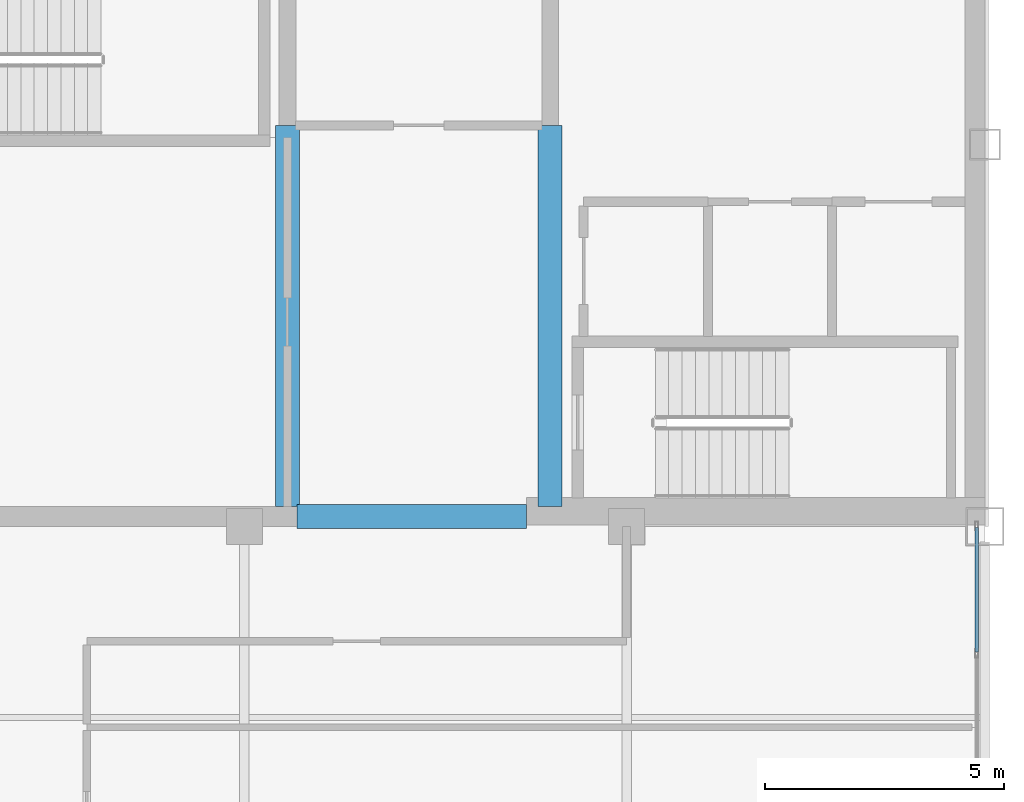
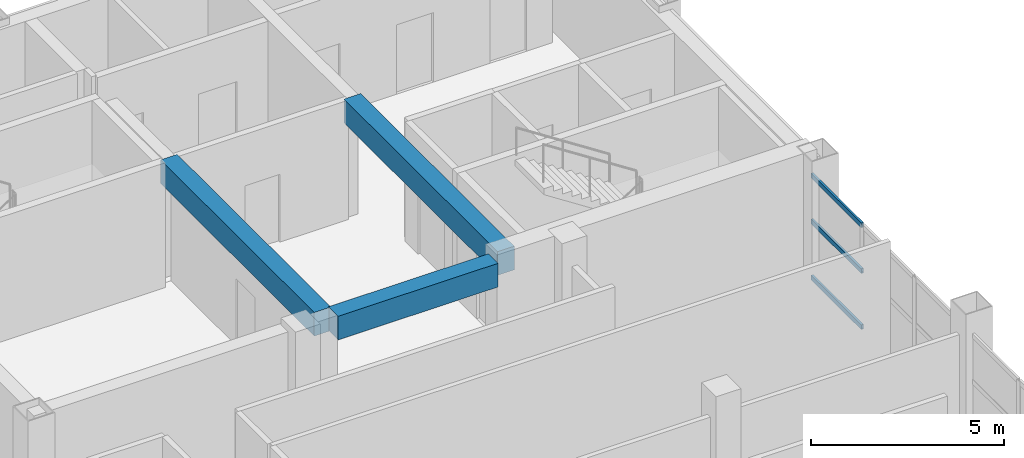
# One storey, part 5 of 13: 3 beams, 3 members, 1 element without a shape of its own.
"""IFC4 building model written with IfcOpenShell, lengths in metres."""

from ifc_helpers import new_model, si_unit, direction, frame, origin, origin_2d, place, context, subcontext, project, spatial, rectangle, hollow_rectangle, extrude, material, layer, layer_set, material_profile, profile_set, type_object, element, aggregate, save


model = new_model("IFC4")

# Units and contexts
model_context = context("Model", 3, precision=1e-05, world=origin(), true_north=direction((0.0, 1.0)))
body_context = subcontext(model_context, "Body", "Model", "MODEL_VIEW")
ifc_project = project(units=[si_unit("LENGTHUNIT", "METRE"), si_unit("AREAUNIT", "SQUARE_METRE"), si_unit("VOLUMEUNIT", "CUBIC_METRE"), si_unit("PLANEANGLEUNIT", "RADIAN"), si_unit("MASSUNIT", "GRAM", prefix="KILO")], contexts=[model_context])

# Site, building, storey
site_placement = place(None, origin())
site = spatial("IfcSite", under=ifc_project, at=site_placement, CompositionType="ELEMENT")
building_placement = place(site_placement, origin())
building = spatial("IfcBuilding", under=site, at=building_placement, Name="Qianrong Seaharbour Tower", CompositionType="ELEMENT")
storey_placement = place(building_placement, frame((0.0, 0.0, 291.199951171875)))
storey = spatial("IfcBuildingStorey", under=building, at=storey_placement, Name="L70", CompositionType="ELEMENT", Elevation=291.199951171875)

# Beams
ifc_material_1 = material(Name="Concrete C60/75", Category="concrete")
ifc_material_profile_1 = material_profile(ifc_material_1, rectangle(XDim=0.5, YDim=0.75, at=origin_2d()), Name="RC500x750")
ifc_profile_set_1 = profile_set([ifc_material_profile_1], Name="Concrete C60/75")
beam_type = type_object("IfcBeamType", Name="BM-LINTEL-750", PredefinedType="LINTEL", material=ifc_profile_set_1)
beam_placement = place(storey_placement, frame((49.60009765625, 36.2099609375, 3.41015625), z_axis=(1.0, 0.0, 0.0), x_axis=(0.0, 1.0, 0.0)))
element("IfcBeam", 1, at=beam_placement, inside=storey, type_object=beam_type, Name="L70 Core Coupling Lintel Beam CBC", PredefinedType="LINTEL", context=body_context, shape_type="SweptSolid", body=[
    extrude(rectangle(XDim=0.5, YDim=0.75, at=origin_2d()), origin(), (0.0, 0.0, 1.0), 4.7998046875),
])
for number, where, z_axis, x_axis, name in (
    (2, (49.39990234375, 36.419921875, 3.41015625), (0.0, 1.0, 0.0), (-1.0, 0.0, 0.0), "L70 Internal Core Coupling Beam IW1"),
    (3, (54.89990234375, 36.419921875, 3.41015625), (0.0, 1.0, 0.0), (-1.0, 0.0, 0.0), "L70 Internal Core Coupling Beam IW2"),
):
    element("IfcBeam", number, at=place(storey_placement, frame(where, z_axis=z_axis, x_axis=x_axis)), inside=storey, type_object=beam_type, Name=name, PredefinedType="LINTEL", context=body_context, shape_type="SweptSolid", body=[
        extrude(rectangle(XDim=0.5, YDim=0.75, at=origin_2d()), origin(), (0.0, 0.0, 1.0), 7.97998046875),
    ])

# Curtain wall, members
ifc_material_2 = material(Name="Anodised aluminium 6063-T6 and laminated low-e glass", Category="aluminium")
ifc_layer = layer(ifc_material_2, 0.195068359375)
ifc_layer_set = layer_set([ifc_layer], Name="Anodised aluminium 6063-T6 and laminated low-e glass")
curtain_wall_type = type_object("IfcCurtainWallType", Name="CW-SYS-3", PredefinedType="NOTDEFINED", material=ifc_layer_set)
curtain_wall_placement = place(storey_placement, origin())
curtain_wall = element("IfcCurtainWall", 4, at=curtain_wall_placement, inside=storey, type_object=curtain_wall_type, Name="L70 Sky-Garden Wintergarden Curtain Wall EAST_WING", PredefinedType="NOTDEFINED")
ifc_material_3 = material(Name="Extruded aluminium 6063-T6", Category="aluminium")
ifc_material_profile_2 = material_profile(ifc_material_3, hollow_rectangle(XDim=0.06494140625, YDim=0.14990234375, WallThickness=0.00390625, at=origin_2d()), Name="ALU-TRN-150x65x4")
ifc_profile_set_2 = profile_set([ifc_material_profile_2], Name="Extruded aluminium 6063-T6")
member_type = type_object("IfcMemberType", Name="CW-TRN-150", PredefinedType="USERDEFINED", material=ifc_profile_set_2)
member_1_placement = place(storey_placement, frame((63.830078125, 35.97998046875, 0.032470703125), z_axis=(0.0, -1.0, 0.0), x_axis=(1.0, 0.0, 0.0)))
member_1 = element("IfcMember", 5, at=member_1_placement, type_object=member_type, Name="CW-3 transom 1.1", ObjectType="TRANSOM", PredefinedType="USERDEFINED", context=body_context, shape_type="SweptSolid", body=[
    extrude(hollow_rectangle(XDim=0.06494140625, YDim=0.14990234375, WallThickness=0.00390625, at=origin_2d()), origin(), (0.0, 0.0, 1.0), 2.60498046875),
])
member_2_placement = place(storey_placement, frame((63.830078125, 35.97998046875, 1.812255859375), z_axis=(0.0, -1.0, 0.0), x_axis=(1.0, 0.0, 0.0)))
member_2 = element("IfcMember", 6, at=member_2_placement, type_object=member_type, Name="CW-3 transom 1.2", ObjectType="TRANSOM", PredefinedType="USERDEFINED", context=body_context, shape_type="SweptSolid", body=[
    extrude(hollow_rectangle(XDim=0.06494140625, YDim=0.14990234375, WallThickness=0.00390625, at=origin_2d()), origin(), (0.0, 0.0, 1.0), 2.60498046875),
])
member_3_placement = place(storey_placement, frame((63.830078125, 35.97998046875, 3.262451171875), z_axis=(0.0, -1.0, 0.0), x_axis=(1.0, 0.0, 0.0)))
member_3 = element("IfcMember", 7, at=member_3_placement, type_object=member_type, Name="CW-3 transom 1.3", ObjectType="TRANSOM", PredefinedType="USERDEFINED", context=body_context, shape_type="SweptSolid", body=[
    extrude(hollow_rectangle(XDim=0.06494140625, YDim=0.14990234375, WallThickness=0.00390625, at=origin_2d()), origin(), (0.0, 0.0, 1.0), 2.60498046875),
])
aggregate(curtain_wall, [member_1, member_2, member_3])

save(model, "model.ifc")
